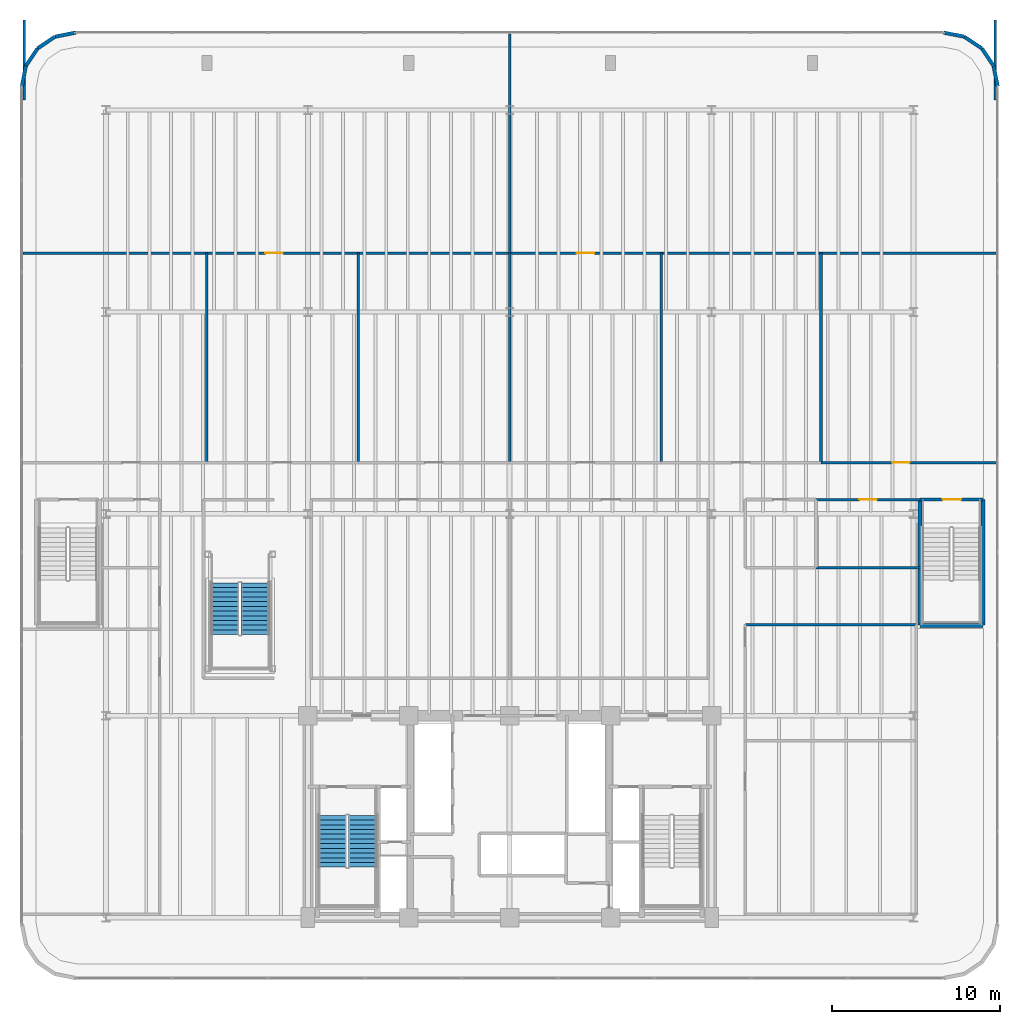
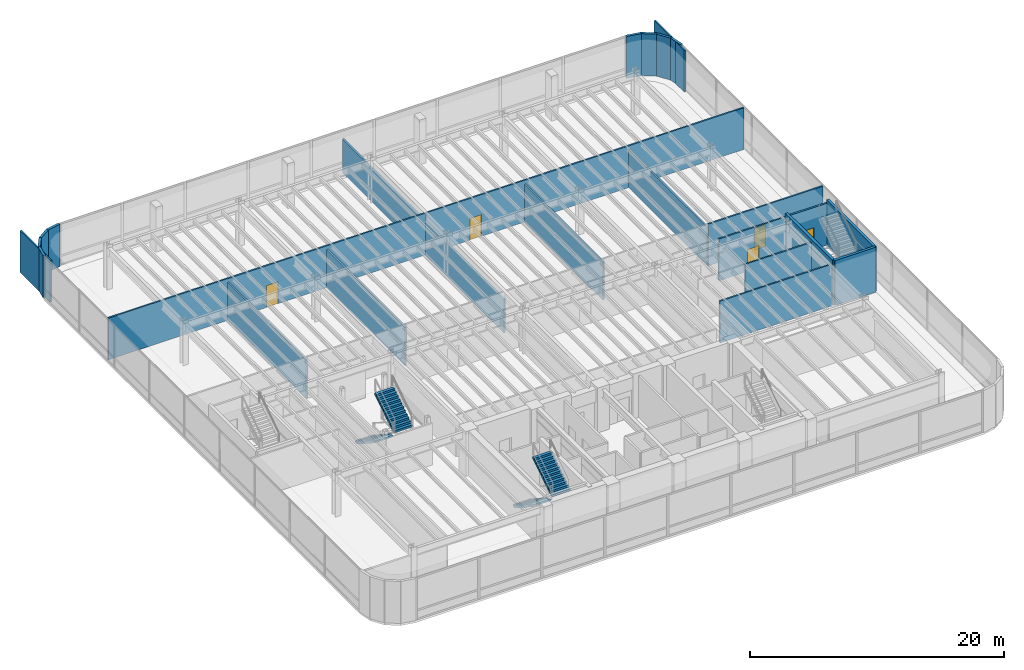
# One storey, part 14 of 18: 26 walls, 5 doors, 4 stair flights, 5 openings, 2 elements without a shape of their own.
"""IFC4 building model written with IfcOpenShell, lengths in metres."""

from ifc_helpers import new_model, si_unit, direction, frame, frame_2d, origin, origin_2d, place, context, subcontext, project, spatial, polyline, rectangle, outline, extrude, source, transform, mapped, material, layer, layer_set, type_object, element, fill, aggregate, save


model = new_model("IFC4")

# Units and contexts
model_context = context("Model", 3, precision=1e-05, world=origin(), true_north=direction((0.0, 1.0)))
body_context = subcontext(model_context, "Body", "Model", "MODEL_VIEW")
ifc_project = project(units=[si_unit("LENGTHUNIT", "METRE"), si_unit("AREAUNIT", "SQUARE_METRE"), si_unit("VOLUMEUNIT", "CUBIC_METRE"), si_unit("PLANEANGLEUNIT", "RADIAN"), si_unit("MASSUNIT", "GRAM", prefix="KILO")], contexts=[model_context])

# Site, building, storey
site_placement = place(None, origin())
site = spatial("IfcSite", under=ifc_project, at=site_placement, CompositionType="ELEMENT")
building_placement = place(site_placement, origin())
building = spatial("IfcBuilding", under=site, at=building_placement, Name="Brelvock Crest Care Tower", CompositionType="ELEMENT")
storey_placement = place(building_placement, frame((0.0, 0.0, 9.719970703125)))
storey = spatial("IfcBuildingStorey", under=building, at=storey_placement, Name="L02", CompositionType="ELEMENT", Elevation=9.719970703125)

# Walls
ifc_material_1 = material(Name="Concrete S80 (80 MPa)", Category="concrete")
ifc_layer_1 = layer(ifc_material_1, 0.25, Name="WL-CS6")
ifc_layer_set_1 = layer_set([ifc_layer_1], Name="Concrete S80 (80 MPa)")
wall_type_1 = type_object("IfcWallType", Name="WL-CS6", PredefinedType="SHEAR", material=ifc_layer_set_1)
wall_1_placement = place(storey_placement, frame((60.3798828125, 23.3798828125, 0.0), z_axis=(0.0, 0.0, 1.0), x_axis=(1.0, 0.0, 0.0)))
element("IfcWall", 1, at=wall_1_placement, inside=storey, type_object=wall_type_1, Name="L02 Podium Stair ST-4 South Shear Wall", PredefinedType="SHEAR", context=body_context, shape_type="SweptSolid", body=[
    extrude(rectangle(XDim=3.740234375, YDim=0.25, at=frame_2d((1.8701171875, 0.0))), origin(), (0.0, 0.0, 1.0), 4.320068359375),
])
for number, where, z_axis, x_axis, name in (
    (2, (60.3798828125, 23.3798828125, 0.0), (0.0, 0.0, 1.0), (0.0, 1.0, 0.0), "L02 Podium Stair ST-4 West Shear Wall"),
    (3, (64.1201171875, 23.3798828125, 0.0), (0.0, 0.0, 1.0), (0.0, 1.0, 0.0), "L02 Podium Stair ST-4 East Shear Wall"),
):
    element("IfcWall", number, at=place(storey_placement, frame(where, z_axis=z_axis, x_axis=x_axis)), inside=storey, type_object=wall_type_1, Name=name, PredefinedType="SHEAR", context=body_context, shape_type="SweptSolid", body=[
        extrude(rectangle(XDim=7.47021484375, YDim=0.25, at=frame_2d((3.735107421875, 0.0))), origin(), (0.0, 0.0, 1.0), 4.320068359375),
    ])
ifc_material_2 = material(Name="Precast concrete N40 (40 MPa)", Category="concrete")
ifc_layer_2 = layer(ifc_material_2, 0.215087890625, Name="WL-EX2")
ifc_layer_set_2 = layer_set([ifc_layer_2], Name="Precast concrete N40 (40 MPa)")
wall_type_2 = type_object("IfcWallType", Name="WL-EX2", PredefinedType="SOLIDWALL", material=ifc_layer_set_2)
for number, where, z_axis, x_axis, name in (
    (4, (7.0, 55.39990234375, 0.0), (0.0, 0.0, 1.0), (0.195138390419, 0.980775717779, 0.0), "L02 Rounded Corner Wall 05"),
    (5, (7.24365234375, 56.62451171875, 0.0), (0.0, 0.0, 1.0), (0.555557312883, 0.831478245117, 0.0), "L02 Rounded Corner Wall 06"),
    (6, (7.937255859375, 57.66259765625, 0.0), (0.0, 0.0, 1.0), (0.831387912822, 0.555692485475, 0.0), "L02 Rounded Corner Wall 07"),
    (7, (8.975341796875, 58.3564453125, 0.0), (0.0, 0.0, 1.0), (0.980775717779, 0.195138390419, 0.0), "L02 Rounded Corner Wall 08"),
    (8, (61.800048828125, 58.60009765625, 0.0), (0.0, 0.0, 1.0), (0.980775717779, -0.195138390419, 0.0), "L02 Rounded Corner Wall 10"),
    (9, (63.024658203125, 58.3564453125, 0.0), (0.0, 0.0, 1.0), (0.831387912822, -0.555692485475, 0.0), "L02 Rounded Corner Wall 11"),
    (10, (64.062744140625, 57.66259765625, 0.0), (0.0, 0.0, 1.0), (0.555557312883, -0.831478245117, 0.0), "L02 Rounded Corner Wall 12"),
    (11, (64.75634765625, 56.62451171875, 0.0), (0.0, 0.0, 1.0), (0.195138390419, -0.980775717779, 0.0), "L02 Rounded Corner Wall 13"),
):
    element("IfcWall", number, at=place(storey_placement, frame(where, z_axis=z_axis, x_axis=x_axis)), inside=storey, type_object=wall_type_2, Name=name, PredefinedType="SOLIDWALL", context=body_context, shape_type="SweptSolid", body=[
        extrude(rectangle(XDim=1.24853515625, YDim=0.215087890625, at=frame_2d((0.624267578125, 0.0))), origin(), (0.0, 0.0, 1.0), 4.0400390625),
    ])
ifc_material_3 = material(Name="Masonry Blockwork Acoustic Partition", Category="masonry")
ifc_layer_3 = layer(ifc_material_3, 0.14990234375, Name="WL-INT1")
ifc_layer_set_3 = layer_set([ifc_layer_3], Name="Masonry Blockwork Acoustic Partition")
wall_type_3 = type_object("IfcWallType", Name="WL-INT1", PredefinedType="PARTITIONING", material=ifc_layer_set_3)
wall_2_placement = place(storey_placement, frame((50.0, 23.409912109375, 0.0), z_axis=(0.0, 0.0, 1.0), x_axis=(1.0, 0.0, 0.0)))
element("IfcWall", 12, at=wall_2_placement, inside=storey, type_object=wall_type_3, Name="L02 Interior Wall WL-BX-L02-CL4B-N", PredefinedType="PARTITIONING", context=body_context, shape_type="SweptSolid", body=[
    extrude(rectangle(XDim=10.14990234375, YDim=0.14990234375, at=frame_2d((5.074951171875, 0.0))), origin(), (0.0, 0.0, 1.0), 4.010009765625),
])
wall_3_placement = place(storey_placement, frame((54.199951171875, 26.800048828125, 0.0), z_axis=(0.0, 0.0, 1.0), x_axis=(1.0, 0.0, 0.0)))
element("IfcWall", 13, at=wall_3_placement, inside=storey, type_object=wall_type_3, Name="L02 Interior Wall WL-BX-L02-REC2-S", PredefinedType="PARTITIONING", context=body_context, shape_type="SweptSolid", body=[
    extrude(rectangle(XDim=6.25, YDim=0.14990234375, at=frame_2d((3.125, 0.0))), origin(), (0.0, 0.0, 1.0), 4.010009765625),
])

# Wall, opening, door
wall_4_placement = place(storey_placement, frame((54.199951171875, 30.85009765625, 0.0), z_axis=(0.0, 0.0, 1.0), x_axis=(1.0, 0.0, 0.0)))
wall_4 = element("IfcWall", 14, at=wall_4_placement, inside=storey, type_object=wall_type_3, Name="L02 Interior Wall WL-RM-L02-REC2", PredefinedType="PARTITIONING", context=body_context, shape_type="SweptSolid", body=[
    extrude(rectangle(XDim=6.25, YDim=0.14990234375, at=frame_2d((3.125, 0.0))), origin(), (0.0, 0.0, 1.0), 4.010009765625),
])
opening_1_placement = place(wall_4_placement, frame((2.574951171875, 0.0, 0.0)))
opening_1 = element("IfcOpeningElement", 15, at=opening_1_placement, cuts=wall_4, Name="Opening CLD-1", PredefinedType="OPENING", context=body_context, shape_type="SweptSolid", body=[
    extrude(rectangle(XDim=1.050048828125, YDim=2.10009765625, at=origin_2d()), frame((0.52490234375, 0.0849609375, 1.050048828125), z_axis=(0.0, -1.0, 0.0), x_axis=(1.0, 0.0, 0.0)), (0.0, 0.0, 1.0), 0.169921875),
])
ifc_material_4 = material(Name="Engineered Hardwood Timber", Category="wood")
door_type_1 = type_object("IfcDoorType", Name="DR-CLN1", OperationType="NOTDEFINED", PredefinedType="DOOR", material=ifc_material_4)
shared_shape_1 = source(origin(), body_context, "Body", "SweptSolid", [
    extrude(rectangle(XDim=1.050048828125, YDim=2.10009765625, at=origin_2d()), frame((0.52490234375, 0.02490234375, 1.050048828125), z_axis=(0.0, -1.0, 0.0), x_axis=(1.0, 0.0, 0.0)), (0.0, 0.0, 1.0), 0.050048828125),
])
door_1_placement = place(opening_1_placement, origin())
door_1 = element("IfcDoor", 16, at=door_1_placement, inside=storey, type_object=door_type_1, Name="L02 Imaging Reception Office Door REC2", OperationType="SINGLE_SWING_LEFT", OverallHeight=2.10009765625, OverallWidth=1.050048828125, PredefinedType="DOOR", context=body_context, shape_type="MappedRepresentation", body=[
    mapped(shared_shape_1, transform((0.0, 0.0, 0.0), x_axis=(1.0, 0.0, 0.0), y_axis=(0.0, 1.0, 0.0), z_axis=(0.0, 0.0, 1.0), scale=1.0)),
])
fill(opening_1, door_1)

wall_5_placement = place(storey_placement, frame((54.5, 33.050048828125, 0.0), z_axis=(0.0, 0.0, 1.0), x_axis=(1.0, 0.0, 0.0)))
wall_5 = element("IfcWall", 17, at=wall_5_placement, inside=storey, type_object=wall_type_3, Name="L02 Interior Wall WL-RM-L02-CL8A", PredefinedType="PARTITIONING", context=body_context, shape_type="SweptSolid", body=[
    extrude(rectangle(XDim=10.419921875, YDim=0.14990234375, at=frame_2d((5.2099609375, 0.0))), origin(), (0.0, 0.0, 1.0), 4.010009765625),
])
opening_2_placement = place(wall_5_placement, frame((4.22509765625, 0.0, 0.0)))
opening_2 = element("IfcOpeningElement", 18, at=opening_2_placement, cuts=wall_5, Name="Opening CD-1", PredefinedType="OPENING", context=body_context, shape_type="SweptSolid", body=[
    extrude(rectangle(XDim=1.050048828125, YDim=2.10009765625, at=origin_2d()), frame((0.52490234375, 0.0849609375, 1.050048828125), z_axis=(0.0, -1.0, 0.0), x_axis=(1.0, 0.0, 0.0)), (0.0, 0.0, 1.0), 0.169921875),
])
door_type_2 = type_object("IfcDoorType", Name="DR-CARE1", OperationType="NOTDEFINED", PredefinedType="DOOR", material=ifc_material_4)
shared_shape_2 = source(origin(), body_context, "Body", "SweptSolid", [
    extrude(rectangle(XDim=1.050048828125, YDim=2.10009765625, at=origin_2d()), frame((0.52490234375, 0.02490234375, 1.050048828125), z_axis=(0.0, -1.0, 0.0), x_axis=(1.0, 0.0, 0.0)), (0.0, 0.0, 1.0), 0.050048828125),
])
door_2_placement = place(opening_2_placement, origin())
door_2 = element("IfcDoor", 19, at=door_2_placement, inside=storey, type_object=door_type_2, Name="L02 Day Infusion Lounge East Door CL8A", OperationType="SINGLE_SWING_LEFT", OverallHeight=2.10009765625, OverallWidth=1.050048828125, PredefinedType="DOOR", context=body_context, shape_type="MappedRepresentation", body=[
    mapped(shared_shape_2, transform((0.0, 0.0, 0.0), x_axis=(1.0, 0.0, 0.0), y_axis=(0.0, 1.0, 0.0), z_axis=(0.0, 0.0, 1.0), scale=1.0)),
])
fill(opening_2, door_2)

wall_6_placement = place(storey_placement, frame((7.080078125, 45.5, 0.0), z_axis=(0.0, 0.0, 1.0), x_axis=(1.0, 0.0, 0.0)))
wall_6 = element("IfcWall", 20, at=wall_6_placement, inside=storey, type_object=wall_type_3, Name="L02 Interior Wall WL-RM-L02-NLO1", PredefinedType="PARTITIONING", context=body_context, shape_type="SweptSolid", body=[
    extrude(rectangle(XDim=28.919921875, YDim=0.14990234375, at=frame_2d((14.4599609375, 0.0))), origin(), (0.0, 0.0, 1.0), 4.010009765625),
])
opening_3_placement = place(wall_6_placement, frame((14.39501953125, 0.0, 0.0)))
opening_3 = element("IfcOpeningElement", 21, at=opening_3_placement, cuts=wall_6, Name="Opening CLD-1", PredefinedType="OPENING", context=body_context, shape_type="SweptSolid", body=[
    extrude(rectangle(XDim=1.050048828125, YDim=2.10009765625, at=origin_2d()), frame((0.52490234375, 0.0849609375, 1.050048828125), z_axis=(0.0, -1.0, 0.0), x_axis=(1.0, 0.0, 0.0)), (0.0, 0.0, 1.0), 0.169921875),
])
door_3_placement = place(opening_3_placement, origin())
door_3 = element("IfcDoor", 22, at=door_3_placement, inside=storey, type_object=door_type_1, Name="L02 North Allied Recovery Salon Door NLO1", OperationType="SINGLE_SWING_LEFT", OverallHeight=2.10009765625, OverallWidth=1.050048828125, PredefinedType="DOOR", context=body_context, shape_type="MappedRepresentation", body=[
    mapped(shared_shape_1, transform((0.0, 0.0, 0.0), x_axis=(1.0, 0.0, 0.0), y_axis=(0.0, 1.0, 0.0), z_axis=(0.0, 0.0, 1.0), scale=1.0)),
])
fill(opening_3, door_3)

wall_7_placement = place(storey_placement, frame((36.0, 45.5, 0.0), z_axis=(0.0, 0.0, 1.0), x_axis=(1.0, 0.0, 0.0)))
wall_7 = element("IfcWall", 23, at=wall_7_placement, inside=storey, type_object=wall_type_3, Name="L02 Interior Wall WL-RM-L02-NLO2", PredefinedType="PARTITIONING", context=body_context, shape_type="SweptSolid", body=[
    extrude(rectangle(XDim=28.919921875, YDim=0.14990234375, at=frame_2d((14.4599609375, 0.0))), origin(), (0.0, 0.0, 1.0), 4.010009765625),
])
opening_4_placement = place(wall_7_placement, frame((3.97509765625, 0.0, 0.0)))
opening_4 = element("IfcOpeningElement", 24, at=opening_4_placement, cuts=wall_7, Name="Opening CLD-1", PredefinedType="OPENING", context=body_context, shape_type="SweptSolid", body=[
    extrude(rectangle(XDim=1.050048828125, YDim=2.10009765625, at=origin_2d()), frame((0.52490234375, 0.0849609375, 1.050048828125), z_axis=(0.0, -1.0, 0.0), x_axis=(1.0, 0.0, 0.0)), (0.0, 0.0, 1.0), 0.169921875),
])
door_4_placement = place(opening_4_placement, origin())
door_4 = element("IfcDoor", 25, at=door_4_placement, inside=storey, type_object=door_type_1, Name="L02 North Family Education Lounge Door NLO2", OperationType="SINGLE_SWING_LEFT", OverallHeight=2.10009765625, OverallWidth=1.050048828125, PredefinedType="DOOR", context=body_context, shape_type="MappedRepresentation", body=[
    mapped(shared_shape_1, transform((0.0, 0.0, 0.0), x_axis=(1.0, 0.0, 0.0), y_axis=(0.0, 1.0, 0.0), z_axis=(0.0, 0.0, 1.0), scale=1.0)),
])
fill(opening_4, door_4)

# Walls
wall_8_placement = place(storey_placement, frame((7.14990234375, 54.596435546875, 0.0), z_axis=(0.0, 0.0, 1.0), x_axis=(0.0, 1.0, 0.0)))
element("IfcWall", 26, at=wall_8_placement, inside=storey, type_object=wall_type_3, Name="L02 Interior Wall WL-BX-L02-NLO1-W", PredefinedType="PARTITIONING", context=body_context, shape_type="SweptSolid", body=[
    extrude(rectangle(XDim=4.753662109375, YDim=0.14990234375, at=frame_2d((2.376953125, 0.0))), origin(), (0.0, 0.0, 1.0), 4.010009765625),
])
for number, where, z_axis, x_axis, name in (
    (27, (18.0, 33.050048828125, 0.0), (0.0, 0.0, 1.0), (0.0, 1.0, 0.0), "L02 Interior Wall WL-BX-L02-CL5A-E"),
    (28, (27.0, 33.050048828125, 0.0), (0.0, 0.0, 1.0), (0.0, 1.0, 0.0), "L02 Interior Wall WL-BX-L02-CL5B-E"),
):
    element("IfcWall", number, at=place(storey_placement, frame(where, z_axis=z_axis, x_axis=x_axis)), inside=storey, type_object=wall_type_3, Name=name, PredefinedType="PARTITIONING", context=body_context, shape_type="SweptSolid", body=[
        extrude(rectangle(XDim=12.449951171875, YDim=0.14990234375, at=frame_2d((6.22509765625, 0.0))), origin(), (0.0, 0.0, 1.0), 3.666015625),
    ])
wall_9_placement = place(storey_placement, frame((36.0, 33.050048828125, 0.0), z_axis=(0.0, 0.0, 1.0), x_axis=(0.0, 1.0, 0.0)))
element("IfcWall", 29, at=wall_9_placement, inside=storey, type_object=wall_type_3, Name="L02 Interior Wall WL-BX-L02-CL6A-E", PredefinedType="PARTITIONING", context=body_context, shape_type="SweptSolid", body=[
    extrude(rectangle(XDim=12.449951171875, YDim=0.14990234375, at=frame_2d((6.22509765625, 0.0))), origin(), (0.0, 0.0, 1.0), 3.22509765625),
])
wall_10_placement = place(storey_placement, frame((36.0, 45.5, 0.0), z_axis=(0.0, 0.0, 1.0), x_axis=(0.0, 1.0, 0.0)))
element("IfcWall", 30, at=wall_10_placement, inside=storey, type_object=wall_type_3, Name="L02 Interior Wall WL-BX-L02-NLO1-E", PredefinedType="PARTITIONING", context=body_context, shape_type="SweptSolid", body=[
    extrude(rectangle(XDim=13.02001953125, YDim=0.14990234375, at=frame_2d((6.510009765625, 0.0))), origin(), (0.0, 0.0, 1.0), 3.22509765625),
])
for number, where, z_axis, x_axis, name in (
    (31, (45.0, 33.050048828125, 0.0), (0.0, 0.0, 1.0), (0.0, 1.0, 0.0), "L02 Interior Wall WL-BX-L02-CL6B-E"),
    (32, (54.5, 33.050048828125, 0.0), (0.0, 0.0, 1.0), (0.0, 1.0, 0.0), "L02 Interior Wall WL-BX-L02-CL7A-E"),
):
    element("IfcWall", number, at=place(storey_placement, frame(where, z_axis=z_axis, x_axis=x_axis)), inside=storey, type_object=wall_type_3, Name=name, PredefinedType="PARTITIONING", context=body_context, shape_type="SweptSolid", body=[
        extrude(rectangle(XDim=12.449951171875, YDim=0.14990234375, at=frame_2d((6.22509765625, 0.0))), origin(), (0.0, 0.0, 1.0), 3.666015625),
    ])
wall_11_placement = place(storey_placement, frame((64.85009765625, 54.596435546875, 0.0), z_axis=(0.0, 0.0, 1.0), x_axis=(0.0, 1.0, 0.0)))
element("IfcWall", 33, at=wall_11_placement, inside=storey, type_object=wall_type_3, Name="L02 Interior Wall WL-BX-L02-NLO2-E", PredefinedType="PARTITIONING", context=body_context, shape_type="SweptSolid", body=[
    extrude(rectangle(XDim=4.753662109375, YDim=0.14990234375, at=frame_2d((2.376953125, 0.0))), origin(), (0.0, 0.0, 1.0), 4.010009765625),
])

# Wall, opening, door
ifc_layer_4 = layer(ifc_material_3, 0.179931640625, Name="WL-SHF1")
ifc_layer_set_4 = layer_set([ifc_layer_4], Name="Masonry Blockwork Acoustic Partition")
wall_type_4 = type_object("IfcWallType", Name="WL-SHF1", PredefinedType="PARTITIONING", material=ifc_layer_set_4)
wall_12_placement = place(storey_placement, frame((60.3798828125, 30.85009765625, 0.0), z_axis=(0.0, 0.0, 1.0), x_axis=(1.0, 0.0, 0.0)))
wall_12 = element("IfcWall", 34, at=wall_12_placement, inside=storey, type_object=wall_type_4, Name="L02 Interior Wall WL-ST4-N-L02", PredefinedType="PARTITIONING", context=body_context, shape_type="SweptSolid", body=[
    extrude(rectangle(XDim=3.740234375, YDim=0.179931640625, at=frame_2d((1.8701171875, 0.0))), origin(), (0.0, 0.0, 1.0), 4.0400390625),
])
opening_5_placement = place(wall_12_placement, frame((1.35009765625, 0.0, 0.0)))
opening_5 = element("IfcOpeningElement", 35, at=opening_5_placement, cuts=wall_12, Name="Opening SD-1", PredefinedType="OPENING", context=body_context, shape_type="SweptSolid", body=[
    extrude(rectangle(XDim=1.10009765625, YDim=2.10009765625, at=origin_2d()), frame((0.550048828125, 0.10009765625, 1.050048828125), z_axis=(0.0, -1.0, 0.0), x_axis=(1.0, 0.0, 0.0)), (0.0, 0.0, 1.0), 0.199951171875),
])
ifc_material_5 = material(Name="Steel Grade 350", Category="steel")
door_type_3 = type_object("IfcDoorType", Name="DR-ST1", OperationType="NOTDEFINED", PredefinedType="DOOR", material=ifc_material_5)
shared_shape_3 = source(origin(), body_context, "Body", "SweptSolid", [
    extrude(rectangle(XDim=1.10009765625, YDim=2.10009765625, at=origin_2d()), frame((0.550048828125, 0.02490234375, 1.050048828125), z_axis=(0.0, -1.0, 0.0), x_axis=(1.0, 0.0, 0.0)), (0.0, 0.0, 1.0), 0.050048828125),
])
door_5_placement = place(opening_5_placement, origin())
door_5 = element("IfcDoor", 36, at=door_5_placement, inside=storey, type_object=door_type_3, Name="L02 Podium Stair ST-4 Door", OperationType="SINGLE_SWING_RIGHT", OverallHeight=2.10009765625, OverallWidth=1.10009765625, PredefinedType="DOOR", context=body_context, shape_type="MappedRepresentation", body=[
    mapped(shared_shape_3, transform((0.0, 0.0, 0.0), x_axis=(1.0, 0.0, 0.0), y_axis=(0.0, 1.0, 0.0), z_axis=(0.0, 0.0, 1.0), scale=1.0)),
])
fill(opening_5, door_5)

# Stair, stair flights
ifc_material_6 = material(Name="Concrete N40 (40 MPa)", Category="concrete")
stair_type_1 = type_object("IfcStairType", Name="ST-CORE1", PredefinedType="HALF_TURN_STAIR", material=ifc_material_6)
stair_1_placement = place(storey_placement, origin())
stair_1 = element("IfcStair", 37, at=stair_1_placement, inside=storey, type_object=stair_type_1, Name="L02 Fire-Isolated Core Stair ST-1", PredefinedType="HALF_TURN_STAIR")
stair_flight_type = type_object("IfcStairFlightType", Name="STF-1", PredefinedType="STRAIGHT", material=ifc_material_6)
stair_flight_1_placement = place(storey_placement, frame((25.469970703125, 12.080078125, 0.0), z_axis=(0.0, 0.0, 1.0), x_axis=(0.0, -1.0, 0.0)))
stair_flight_1 = element("IfcStairFlight", 38, at=stair_flight_1_placement, type_object=stair_flight_type, Name="ST-1 flight 1", NumberOfRisers=12, NumberOfTreads=11, PredefinedType="STRAIGHT", RiserHeight=0.18, TreadLength=0.28, context=body_context, shape_type="SweptSolid", body=[
    extrude(outline(polyline([(-0.00390625, -0.014892578125), (-0.00390625, -0.008056640625), (-0.00390625, -0.0009765625), (-0.00390625, 0.005859375), (-0.00390625, 0.012939453125), (-0.00390625, 0.019775390625), (-0.00390625, 0.02685546875), (-0.00390625, 0.03369140625), (-0.00390625, 0.040771484375), (-0.00390625, 0.047607421875), (-0.00390625, 0.0546875), (-0.00390625, 0.0615234375), (-0.00390625, 0.068603515625), (-0.00390625, 0.075439453125), (-0.00390625, 0.08251953125), (-0.00390625, 0.08935546875), (-0.00390625, 0.096435546875), (-0.00390625, 0.103271484375), (-0.00390625, 0.1103515625), (-0.00390625, 0.117431640625), (-0.00390625, 0.124267578125), (-0.00390625, 0.13134765625), (-0.00390625, 0.13818359375), (-0.00390625, 0.145263671875), (-0.00390625, 0.152099609375), (-0.00390625, 0.1591796875), (-0.00390625, 0.166015625), (-0.00390625, 0.173095703125), (-0.00390625, 0.179931640625), (0.0, 0.179931640625), (0.280029296875, 0.179931640625), (0.280029296875, 0.360107421875), (0.56005859375, 0.360107421875), (0.56005859375, 0.5400390625), (0.840087890625, 0.5400390625), (0.840087890625, 0.719970703125), (1.1201171875, 0.719970703125), (1.1201171875, 0.89990234375), (1.39990234375, 0.89990234375), (1.39990234375, 1.080078125), (1.679931640625, 1.080078125), (1.679931640625, 1.260009765625), (1.9599609375, 1.260009765625), (1.9599609375, 1.43994140625), (2.239990234375, 1.43994140625), (2.239990234375, 1.6201171875), (2.52001953125, 1.6201171875), (2.52001953125, 1.800048828125), (2.800048828125, 1.800048828125), (2.800048828125, 1.97998046875), (3.080078125, 1.97998046875), (3.083984375, 1.97998046875), (3.083740234375, 1.979248046875), (3.083984375, 1.978759765625), (3.083740234375, 1.97802734375), (3.083984375, 1.9775390625), (3.083740234375, 1.976806640625), (3.083984375, 1.97607421875), (3.083740234375, 1.9755859375), (3.083984375, 1.974853515625), (3.083740234375, 1.97412109375), (3.083984375, 1.9736328125), (3.083740234375, 1.972900390625), (3.083984375, 1.97216796875), (3.083740234375, 1.9716796875), (3.083984375, 1.970947265625), (3.083740234375, 1.970458984375), (3.083984375, 1.9697265625), (3.083740234375, 1.968994140625), (3.083984375, 1.968505859375), (3.083740234375, 1.9677734375), (3.083984375, 1.967041015625), (3.083740234375, 1.966552734375), (3.083984375, 1.9658203125), (3.083740234375, 1.96533203125), (3.083984375, 1.964599609375), (3.083740234375, 1.9638671875), (3.083984375, 1.96337890625), (3.083740234375, 1.962646484375), (3.083984375, 1.9619140625), (3.080078125, 1.8017578125), (0.277099609375, 0.0), (0.0, 0.0), (0.0, -0.014892578125), (-0.00390625, -0.014892578125)])), frame((0.0, 0.83984375, 0.0), z_axis=(0.0, -1.0, 0.0), x_axis=(1.0, 0.0, 0.0)), (0.0, 0.0, 1.0), 1.679931640625),
])
stair_flight_2_placement = place(storey_placement, frame((27.27001953125, 9.0, 2.159912109375), z_axis=(0.0, 0.0, 1.0), x_axis=(0.0, 1.0, 0.0)))
stair_flight_2 = element("IfcStairFlight", 39, at=stair_flight_2_placement, type_object=stair_flight_type, Name="ST-1 flight 2", NumberOfRisers=12, NumberOfTreads=11, PredefinedType="STRAIGHT", RiserHeight=0.18, TreadLength=0.28, context=body_context, shape_type="SweptSolid", body=[
    extrude(outline(polyline([(-0.00390625, -0.014892578125), (-0.00390625, -0.008056640625), (-0.00390625, -0.0009765625), (-0.00390625, 0.005859375), (-0.00390625, 0.012939453125), (-0.00390625, 0.019775390625), (-0.00390625, 0.02685546875), (-0.00390625, 0.03369140625), (-0.00390625, 0.040771484375), (-0.00390625, 0.047607421875), (-0.00390625, 0.0546875), (-0.00390625, 0.0615234375), (-0.00390625, 0.068603515625), (-0.00390625, 0.075439453125), (-0.00390625, 0.08251953125), (-0.00390625, 0.08935546875), (-0.00390625, 0.096435546875), (-0.00390625, 0.103271484375), (-0.00390625, 0.1103515625), (-0.00390625, 0.117431640625), (-0.00390625, 0.124267578125), (-0.00390625, 0.13134765625), (-0.00390625, 0.13818359375), (-0.00390625, 0.145263671875), (-0.00390625, 0.152099609375), (-0.00390625, 0.1591796875), (-0.00390625, 0.166015625), (-0.00390625, 0.173095703125), (-0.00390625, 0.179931640625), (0.0, 0.179931640625), (0.280029296875, 0.179931640625), (0.280029296875, 0.360107421875), (0.56005859375, 0.360107421875), (0.56005859375, 0.5400390625), (0.840087890625, 0.5400390625), (0.840087890625, 0.719970703125), (1.1201171875, 0.719970703125), (1.1201171875, 0.89990234375), (1.39990234375, 0.89990234375), (1.39990234375, 1.080078125), (1.679931640625, 1.080078125), (1.679931640625, 1.260009765625), (1.9599609375, 1.260009765625), (1.9599609375, 1.43994140625), (2.239990234375, 1.43994140625), (2.239990234375, 1.6201171875), (2.52001953125, 1.6201171875), (2.52001953125, 1.800048828125), (2.800048828125, 1.800048828125), (2.800048828125, 1.97998046875), (3.080078125, 1.97998046875), (3.083984375, 1.97998046875), (3.083740234375, 1.979248046875), (3.083984375, 1.978759765625), (3.083740234375, 1.97802734375), (3.083984375, 1.9775390625), (3.083740234375, 1.976806640625), (3.083984375, 1.97607421875), (3.083740234375, 1.9755859375), (3.083984375, 1.974853515625), (3.083740234375, 1.97412109375), (3.083984375, 1.9736328125), (3.083740234375, 1.972900390625), (3.083984375, 1.97216796875), (3.083740234375, 1.9716796875), (3.083984375, 1.970947265625), (3.083740234375, 1.970458984375), (3.083984375, 1.9697265625), (3.083740234375, 1.968994140625), (3.083984375, 1.968505859375), (3.083740234375, 1.9677734375), (3.083984375, 1.967041015625), (3.083740234375, 1.966552734375), (3.083984375, 1.9658203125), (3.083740234375, 1.96533203125), (3.083984375, 1.964599609375), (3.083740234375, 1.9638671875), (3.083984375, 1.96337890625), (3.083740234375, 1.962646484375), (3.083984375, 1.9619140625), (3.080078125, 1.8017578125), (0.277099609375, 0.0), (0.0, 0.0), (0.0, -0.014892578125), (-0.00390625, -0.014892578125)])), frame((0.0, 0.83984375, 0.0), z_axis=(0.0, -1.0, 0.0), x_axis=(1.0, 0.0, 0.0)), (0.0, 0.0, 1.0), 1.679931640625),
])
aggregate(stair_1, [stair_flight_1, stair_flight_2])

stair_type_2 = type_object("IfcStairType", Name="ST-FEA1", PredefinedType="HALF_TURN_STAIR", material=ifc_material_6)
stair_2_placement = place(storey_placement, origin())
stair_2 = element("IfcStair", 40, at=stair_2_placement, inside=storey, type_object=stair_type_2, Name="L02 Clinic Atrium Feature Stair ST-5", PredefinedType="HALF_TURN_STAIR")
stair_flight_3_placement = place(storey_placement, frame((19.080078125, 25.89990234375, 0.0), z_axis=(0.0, 0.0, 1.0), x_axis=(0.0, -1.0, 0.0)))
stair_flight_3 = element("IfcStairFlight", 41, at=stair_flight_3_placement, type_object=stair_flight_type, Name="ST-5 flight 1", NumberOfRisers=12, NumberOfTreads=11, PredefinedType="STRAIGHT", RiserHeight=0.18, TreadLength=0.28, context=body_context, shape_type="SweptSolid", body=[
    extrude(outline(polyline([(-0.00390625, -0.014892578125), (-0.00390625, -0.008056640625), (-0.00390625, -0.0009765625), (-0.00390625, 0.005859375), (-0.00390625, 0.012939453125), (-0.00390625, 0.019775390625), (-0.00390625, 0.02685546875), (-0.00390625, 0.03369140625), (-0.00390625, 0.040771484375), (-0.00390625, 0.047607421875), (-0.00390625, 0.0546875), (-0.00390625, 0.0615234375), (-0.00390625, 0.068603515625), (-0.00390625, 0.075439453125), (-0.00390625, 0.08251953125), (-0.00390625, 0.08935546875), (-0.00390625, 0.096435546875), (-0.00390625, 0.103271484375), (-0.00390625, 0.1103515625), (-0.00390625, 0.117431640625), (-0.00390625, 0.124267578125), (-0.00390625, 0.13134765625), (-0.00390625, 0.13818359375), (-0.00390625, 0.145263671875), (-0.00390625, 0.152099609375), (-0.00390625, 0.1591796875), (-0.00390625, 0.166015625), (-0.00390625, 0.173095703125), (-0.00390625, 0.179931640625), (0.0, 0.179931640625), (0.280029296875, 0.179931640625), (0.280029296875, 0.360107421875), (0.56005859375, 0.360107421875), (0.56005859375, 0.5400390625), (0.840087890625, 0.5400390625), (0.840087890625, 0.719970703125), (1.1201171875, 0.719970703125), (1.1201171875, 0.89990234375), (1.39990234375, 0.89990234375), (1.39990234375, 1.080078125), (1.679931640625, 1.080078125), (1.679931640625, 1.260009765625), (1.9599609375, 1.260009765625), (1.9599609375, 1.43994140625), (2.239990234375, 1.43994140625), (2.239990234375, 1.6201171875), (2.52001953125, 1.6201171875), (2.52001953125, 1.800048828125), (2.800048828125, 1.800048828125), (2.800048828125, 1.97998046875), (3.080078125, 1.97998046875), (3.083984375, 1.97998046875), (3.083740234375, 1.979248046875), (3.083984375, 1.978759765625), (3.083740234375, 1.97802734375), (3.083984375, 1.9775390625), (3.083740234375, 1.976806640625), (3.083984375, 1.97607421875), (3.083740234375, 1.9755859375), (3.083984375, 1.974853515625), (3.083740234375, 1.97412109375), (3.083984375, 1.9736328125), (3.083740234375, 1.972900390625), (3.083984375, 1.97216796875), (3.083740234375, 1.9716796875), (3.083984375, 1.970947265625), (3.083740234375, 1.970458984375), (3.083984375, 1.9697265625), (3.083740234375, 1.968994140625), (3.083984375, 1.968505859375), (3.083740234375, 1.9677734375), (3.083984375, 1.967041015625), (3.083740234375, 1.966552734375), (3.083984375, 1.9658203125), (3.083740234375, 1.96533203125), (3.083984375, 1.964599609375), (3.083740234375, 1.9638671875), (3.083984375, 1.96337890625), (3.083740234375, 1.962646484375), (3.083984375, 1.9619140625), (3.080078125, 1.8017578125), (0.277099609375, 0.0), (0.0, 0.0), (0.0, -0.014892578125), (-0.00390625, -0.014892578125)])), frame((0.0, 0.83984375, 0.0), z_axis=(0.0, -1.0, 0.0), x_axis=(1.0, 0.0, 0.0)), (0.0, 0.0, 1.0), 1.679931640625),
])
stair_flight_4_placement = place(storey_placement, frame((20.8798828125, 22.820068359375, 2.159912109375), z_axis=(0.0, 0.0, 1.0), x_axis=(0.0, 1.0, 0.0)))
stair_flight_4 = element("IfcStairFlight", 42, at=stair_flight_4_placement, type_object=stair_flight_type, Name="ST-5 flight 2", NumberOfRisers=12, NumberOfTreads=11, PredefinedType="STRAIGHT", RiserHeight=0.18, TreadLength=0.28, context=body_context, shape_type="SweptSolid", body=[
    extrude(outline(polyline([(-0.00390625, -0.014892578125), (-0.00390625, -0.008056640625), (-0.00390625, -0.0009765625), (-0.00390625, 0.005859375), (-0.00390625, 0.012939453125), (-0.00390625, 0.019775390625), (-0.00390625, 0.02685546875), (-0.00390625, 0.03369140625), (-0.00390625, 0.040771484375), (-0.00390625, 0.047607421875), (-0.00390625, 0.0546875), (-0.00390625, 0.0615234375), (-0.00390625, 0.068603515625), (-0.00390625, 0.075439453125), (-0.00390625, 0.08251953125), (-0.00390625, 0.08935546875), (-0.00390625, 0.096435546875), (-0.00390625, 0.103271484375), (-0.00390625, 0.1103515625), (-0.00390625, 0.117431640625), (-0.00390625, 0.124267578125), (-0.00390625, 0.13134765625), (-0.00390625, 0.13818359375), (-0.00390625, 0.145263671875), (-0.00390625, 0.152099609375), (-0.00390625, 0.1591796875), (-0.00390625, 0.166015625), (-0.00390625, 0.173095703125), (-0.00390625, 0.179931640625), (0.0, 0.179931640625), (0.280029296875, 0.179931640625), (0.280029296875, 0.360107421875), (0.56005859375, 0.360107421875), (0.56005859375, 0.5400390625), (0.840087890625, 0.5400390625), (0.840087890625, 0.719970703125), (1.1201171875, 0.719970703125), (1.1201171875, 0.89990234375), (1.39990234375, 0.89990234375), (1.39990234375, 1.080078125), (1.679931640625, 1.080078125), (1.679931640625, 1.260009765625), (1.9599609375, 1.260009765625), (1.9599609375, 1.43994140625), (2.239990234375, 1.43994140625), (2.239990234375, 1.6201171875), (2.52001953125, 1.6201171875), (2.52001953125, 1.800048828125), (2.800048828125, 1.800048828125), (2.800048828125, 1.97998046875), (3.080078125, 1.97998046875), (3.083984375, 1.97998046875), (3.083740234375, 1.979248046875), (3.083984375, 1.978759765625), (3.083740234375, 1.97802734375), (3.083984375, 1.9775390625), (3.083740234375, 1.976806640625), (3.083984375, 1.97607421875), (3.083740234375, 1.9755859375), (3.083984375, 1.974853515625), (3.083740234375, 1.97412109375), (3.083984375, 1.9736328125), (3.083740234375, 1.972900390625), (3.083984375, 1.97216796875), (3.083740234375, 1.9716796875), (3.083984375, 1.970947265625), (3.083740234375, 1.970458984375), (3.083984375, 1.9697265625), (3.083740234375, 1.968994140625), (3.083984375, 1.968505859375), (3.083740234375, 1.9677734375), (3.083984375, 1.967041015625), (3.083740234375, 1.966552734375), (3.083984375, 1.9658203125), (3.083740234375, 1.96533203125), (3.083984375, 1.964599609375), (3.083740234375, 1.9638671875), (3.083984375, 1.96337890625), (3.083740234375, 1.962646484375), (3.083984375, 1.9619140625), (3.080078125, 1.8017578125), (0.277099609375, 0.0), (0.0, 0.0), (0.0, -0.014892578125), (-0.00390625, -0.014892578125)])), frame((0.0, 0.83984375, 0.0), z_axis=(0.0, -1.0, 0.0), x_axis=(1.0, 0.0, 0.0)), (0.0, 0.0, 1.0), 1.679931640625),
])
aggregate(stair_2, [stair_flight_3, stair_flight_4])

save(model, "model.ifc")
